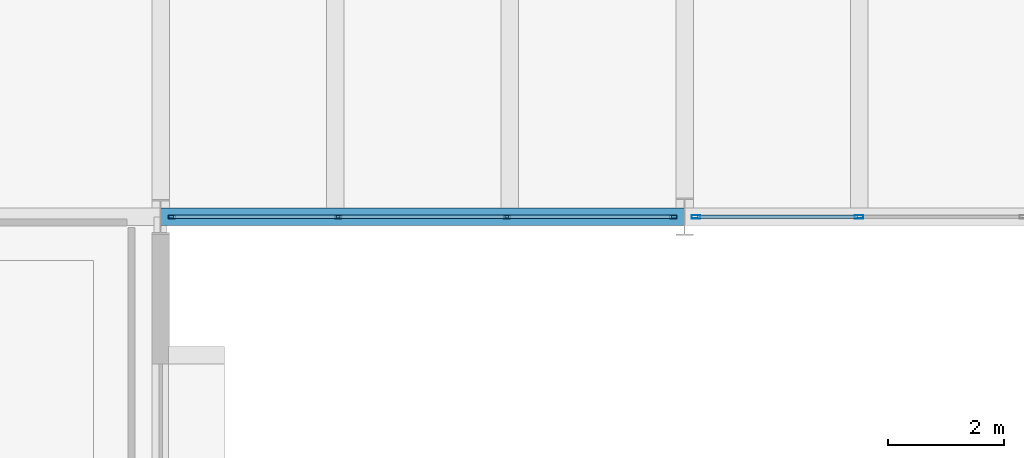
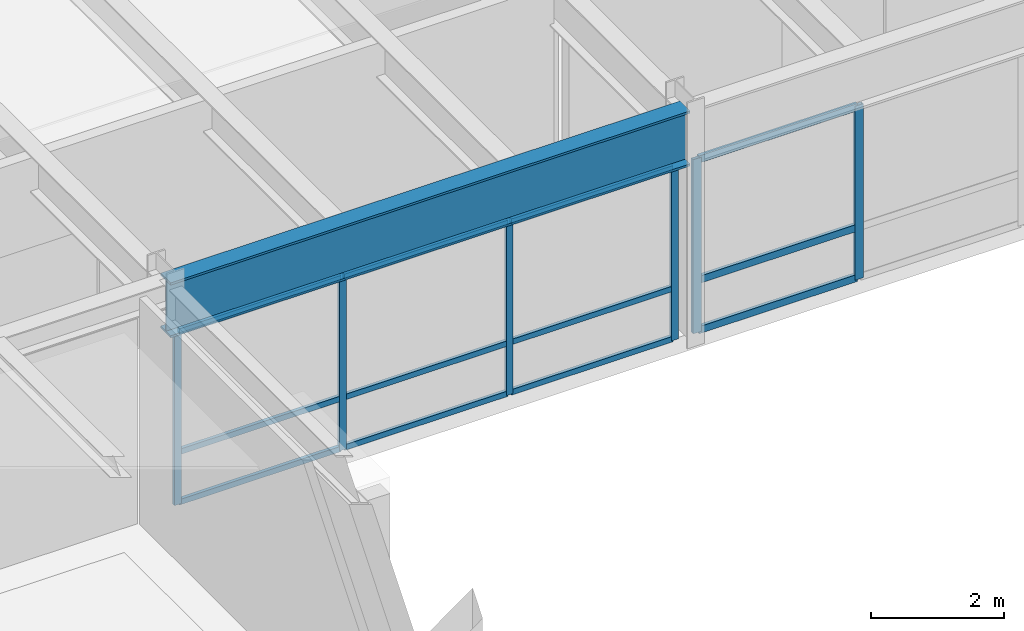
# One storey, part 89 of 127: 18 members, 1 beam, 2 elements without a shape of their own.
"""IFC4 building model written with IfcOpenShell, lengths in metres."""

from ifc_helpers import new_model, si_unit, direction, frame, origin, origin_2d, place, context, subcontext, project, spatial, hollow_rectangle, i_section, extrude, material, layer, layer_set, material_profile, profile_set, type_object, element, aggregate, save


model = new_model("IFC4")

# Units and contexts
model_context = context("Model", 3, precision=1e-05, world=origin(), true_north=direction((0.0, 1.0)))
body_context = subcontext(model_context, "Body", "Model", "MODEL_VIEW")
ifc_project = project(units=[si_unit("LENGTHUNIT", "METRE"), si_unit("AREAUNIT", "SQUARE_METRE"), si_unit("VOLUMEUNIT", "CUBIC_METRE"), si_unit("PLANEANGLEUNIT", "RADIAN"), si_unit("MASSUNIT", "GRAM", prefix="KILO")], contexts=[model_context])

# Site, building, storey
site_placement = place(None, origin())
site = spatial("IfcSite", under=ifc_project, at=site_placement, CompositionType="ELEMENT")
building_placement = place(site_placement, origin())
building = spatial("IfcBuilding", under=site, at=building_placement, Name="Montelvaro Courts of Justice", CompositionType="ELEMENT")
storey_placement = place(building_placement, frame((0.0, 0.0, 5.39990234375)))
storey = spatial("IfcBuildingStorey", under=building, at=storey_placement, Name="L01", CompositionType="ELEMENT", Elevation=5.39990234375)

# Beam
ifc_material_1 = material(Name="Steel S355", Category="steel")
ifc_material_profile_1 = material_profile(ifc_material_1, i_section(OverallWidth=0.302001953125, OverallDepth=1.008056640625, WebThickness=0.02099609375, FlangeThickness=0.0400390625, at=origin_2d()), Name="HEM 1000")
ifc_profile_set_1 = profile_set([ifc_material_profile_1], Name="Steel S355")
beam_type = type_object("IfcBeamType", Name="Beam_HEM1000", PredefinedType="USERDEFINED", material=ifc_profile_set_1)
beam_placement = place(storey_placement, frame((135.0, 78.0, 3.696044921875), z_axis=(1.0, 0.0, 0.0), x_axis=(0.0, 1.0, 0.0)))
element("IfcBeam", 1, at=beam_placement, inside=storey, type_object=beam_type, Name="Pratt Cantilever Truss Chord CTR-V2-S-L02-BS1", ObjectType="GIRDER", PredefinedType="USERDEFINED", context=body_context, shape_type="SweptSolid", body=[
    extrude(i_section(OverallWidth=0.302001953125, OverallDepth=1.008056640625, WebThickness=0.02099609375, FlangeThickness=0.0400390625, at=origin_2d()), origin(), (0.0, 0.0, 1.0), 9.0),
])

# Curtain wall, members
ifc_material_2 = material(Name="Anodised aluminium EN AW-6063", Category="aluminium")
ifc_layer_1 = layer(ifc_material_2, 0.159912109375)
ifc_layer_set_1 = layer_set([ifc_layer_1], Name="Anodised aluminium EN AW-6063")
curtain_wall_type_1 = type_object("IfcCurtainWallType", Name="CurtainWall_14_867x418", PredefinedType="USERDEFINED", material=ifc_layer_set_1)
curtain_wall_1_placement = place(storey_placement, origin())
curtain_wall_1 = element("IfcCurtainWall", 2, at=curtain_wall_1_placement, inside=storey, type_object=curtain_wall_type_1, Name="Curtain Wall CW-14 (L01)", ObjectType="CURTAIN WALL", PredefinedType="USERDEFINED")
ifc_material_profile_2 = material_profile(ifc_material_2, hollow_rectangle(XDim=0.06005859375, YDim=0.1201171875, WallThickness=0.00341796875, at=origin_2d()), Name="ALU-M 60x120")
ifc_profile_set_2 = profile_set([ifc_material_profile_2], Name="Anodised aluminium EN AW-6063")
member_type_1 = type_object("IfcMemberType", Name="CurtainWall_Mullion_60x120", PredefinedType="MULLION", material=ifc_profile_set_2)
member_1_placement = place(storey_placement, frame((135.195068359375, 78.0, 0.0), z_axis=(0.0, 0.0, 1.0), x_axis=(0.0, 1.0, 0.0)))
member_1 = element("IfcMember", 3, at=member_1_placement, type_object=member_type_1, Name="CW-14 mullion 1", PredefinedType="MULLION", context=body_context, shape_type="SweptSolid", body=[
    extrude(hollow_rectangle(XDim=0.06005859375, YDim=0.1201171875, WallThickness=0.00341796875, at=origin_2d()), origin(), (0.0, 0.0, 1.0), 3.18701171875),
])
member_2_placement = place(storey_placement, frame((138.054931640625, 78.0, 0.0), z_axis=(0.0, 0.0, 1.0), x_axis=(0.0, 1.0, 0.0)))
member_2 = element("IfcMember", 4, at=member_2_placement, type_object=member_type_1, Name="CW-14 mullion 2", PredefinedType="MULLION", context=body_context, shape_type="SweptSolid", body=[
    extrude(hollow_rectangle(XDim=0.06005859375, YDim=0.1201171875, WallThickness=0.00341796875, at=origin_2d()), origin(), (0.0, 0.0, 1.0), 3.18701171875),
])
member_3_placement = place(storey_placement, frame((140.945068359375, 78.0, 0.0), z_axis=(0.0, 0.0, 1.0), x_axis=(0.0, 1.0, 0.0)))
member_3 = element("IfcMember", 5, at=member_3_placement, type_object=member_type_1, Name="CW-14 mullion 3", PredefinedType="MULLION", context=body_context, shape_type="SweptSolid", body=[
    extrude(hollow_rectangle(XDim=0.06005859375, YDim=0.1201171875, WallThickness=0.00341796875, at=origin_2d()), origin(), (0.0, 0.0, 1.0), 3.18701171875),
])
member_4_placement = place(storey_placement, frame((143.804931640625, 78.0, 0.0), z_axis=(0.0, 0.0, 1.0), x_axis=(0.0, 1.0, 0.0)))
member_4 = element("IfcMember", 6, at=member_4_placement, type_object=member_type_1, Name="CW-14 mullion 4", PredefinedType="MULLION", context=body_context, shape_type="SweptSolid", body=[
    extrude(hollow_rectangle(XDim=0.06005859375, YDim=0.1201171875, WallThickness=0.00341796875, at=origin_2d()), origin(), (0.0, 0.0, 1.0), 3.18701171875),
])

ifc_layer_2 = layer(ifc_material_2, 0.159912109375)
ifc_layer_set_2 = layer_set([ifc_layer_2], Name="Anodised aluminium EN AW-6063")
curtain_wall_type_2 = type_object("IfcCurtainWallType", Name="CurtainWall_21_849x418", PredefinedType="USERDEFINED", material=ifc_layer_set_2)
curtain_wall_2_placement = place(storey_placement, origin())
curtain_wall_2 = element("IfcCurtainWall", 7, at=curtain_wall_2_placement, inside=storey, type_object=curtain_wall_type_2, Name="Curtain Wall CW-21 (L01)", ObjectType="CURTAIN WALL", PredefinedType="USERDEFINED")
ifc_material_profile_3 = material_profile(ifc_material_2, hollow_rectangle(XDim=0.06005859375, YDim=0.14990234375, WallThickness=0.00390625, at=origin_2d()), Name="ALU-M 60x150")
ifc_profile_set_3 = profile_set([ifc_material_profile_3], Name="Anodised aluminium EN AW-6063")
member_type_2 = type_object("IfcMemberType", Name="CurtainWall_Mullion_60x150", PredefinedType="MULLION", material=ifc_profile_set_3)
member_5_placement = place(storey_placement, frame((144.195068359375, 78.0, 0.0), z_axis=(0.0, 0.0, 1.0), x_axis=(0.0, 1.0, 0.0)))
member_5 = element("IfcMember", 8, at=member_5_placement, type_object=member_type_2, Name="CW-21 mullion 1", PredefinedType="MULLION", context=body_context, shape_type="SweptSolid", body=[
    extrude(hollow_rectangle(XDim=0.06005859375, YDim=0.14990234375, WallThickness=0.00390625, at=origin_2d()), origin(), (0.0, 0.0, 1.0), 3.18701171875),
])
member_6_placement = place(storey_placement, frame((146.99658203125, 78.0, 0.0), z_axis=(0.0, 0.0, 1.0), x_axis=(0.0, 1.0, 0.0)))
member_6 = element("IfcMember", 9, at=member_6_placement, type_object=member_type_2, Name="CW-21 mullion 2", PredefinedType="MULLION", context=body_context, shape_type="SweptSolid", body=[
    extrude(hollow_rectangle(XDim=0.06005859375, YDim=0.14990234375, WallThickness=0.00390625, at=origin_2d()), origin(), (0.0, 0.0, 1.0), 3.18701171875),
])

# Member
ifc_material_profile_4 = material_profile(ifc_material_2, hollow_rectangle(XDim=0.06005859375, YDim=0.10009765625, WallThickness=0.00341796875, at=origin_2d()), Name="ALU-T 60x100")
ifc_profile_set_4 = profile_set([ifc_material_profile_4], Name="Anodised aluminium EN AW-6063")
member_type_3 = type_object("IfcMemberType", Name="CurtainWall_Transom_60x100", PredefinedType="USERDEFINED", material=ifc_profile_set_4)
member_7_placement = place(storey_placement, frame((135.22509765625, 78.0, 0.030029296875), z_axis=(1.0, 0.0, 0.0), x_axis=(0.0, 1.0, 0.0)))
member_7 = element("IfcMember", 10, at=member_7_placement, type_object=member_type_3, Name="CW-14 transom 1.1", ObjectType="TRANSOM", PredefinedType="USERDEFINED", context=body_context, shape_type="SweptSolid", body=[
    extrude(hollow_rectangle(XDim=0.06005859375, YDim=0.10009765625, WallThickness=0.00341796875, at=origin_2d()), origin(), (0.0, 0.0, 1.0), 2.7998046875),
])

member_8_placement = place(storey_placement, frame((135.22509765625, 78.0, 0.9501953125), z_axis=(1.0, 0.0, 0.0), x_axis=(0.0, 1.0, 0.0)))
member_8 = element("IfcMember", 11, at=member_8_placement, type_object=member_type_3, Name="CW-14 transom 1.2", ObjectType="TRANSOM", PredefinedType="USERDEFINED", context=body_context, shape_type="SweptSolid", body=[
    extrude(hollow_rectangle(XDim=0.06005859375, YDim=0.10009765625, WallThickness=0.00341796875, at=origin_2d()), origin(), (0.0, 0.0, 1.0), 2.7998046875),
])

member_9_placement = place(storey_placement, frame((135.22509765625, 78.0, 3.156982421875), z_axis=(1.0, 0.0, 0.0), x_axis=(0.0, 1.0, 0.0)))
member_9 = element("IfcMember", 12, at=member_9_placement, type_object=member_type_3, Name="CW-14 transom 1.3", ObjectType="TRANSOM", PredefinedType="USERDEFINED", context=body_context, shape_type="SweptSolid", body=[
    extrude(hollow_rectangle(XDim=0.06005859375, YDim=0.10009765625, WallThickness=0.00341796875, at=origin_2d()), origin(), (0.0, 0.0, 1.0), 2.7998046875),
])

member_10_placement = place(storey_placement, frame((138.0849609375, 78.0, 0.030029296875), z_axis=(1.0, 0.0, 0.0), x_axis=(0.0, 1.0, 0.0)))
member_10 = element("IfcMember", 13, at=member_10_placement, type_object=member_type_3, Name="CW-14 transom 2.1", ObjectType="TRANSOM", PredefinedType="USERDEFINED", context=body_context, shape_type="SweptSolid", body=[
    extrude(hollow_rectangle(XDim=0.06005859375, YDim=0.10009765625, WallThickness=0.00341796875, at=origin_2d()), origin(), (0.0, 0.0, 1.0), 2.830078125),
])

member_11_placement = place(storey_placement, frame((138.0849609375, 78.0, 0.9501953125), z_axis=(1.0, 0.0, 0.0), x_axis=(0.0, 1.0, 0.0)))
member_11 = element("IfcMember", 14, at=member_11_placement, type_object=member_type_3, Name="CW-14 transom 2.2", ObjectType="TRANSOM", PredefinedType="USERDEFINED", context=body_context, shape_type="SweptSolid", body=[
    extrude(hollow_rectangle(XDim=0.06005859375, YDim=0.10009765625, WallThickness=0.00341796875, at=origin_2d()), origin(), (0.0, 0.0, 1.0), 2.830078125),
])

member_12_placement = place(storey_placement, frame((138.0849609375, 78.0, 3.156982421875), z_axis=(1.0, 0.0, 0.0), x_axis=(0.0, 1.0, 0.0)))
member_12 = element("IfcMember", 15, at=member_12_placement, type_object=member_type_3, Name="CW-14 transom 2.3", ObjectType="TRANSOM", PredefinedType="USERDEFINED", context=body_context, shape_type="SweptSolid", body=[
    extrude(hollow_rectangle(XDim=0.06005859375, YDim=0.10009765625, WallThickness=0.00341796875, at=origin_2d()), origin(), (0.0, 0.0, 1.0), 2.830078125),
])

member_13_placement = place(storey_placement, frame((140.97509765625, 78.0, 0.030029296875), z_axis=(1.0, 0.0, 0.0), x_axis=(0.0, 1.0, 0.0)))
member_13 = element("IfcMember", 16, at=member_13_placement, type_object=member_type_3, Name="CW-14 transom 3.1", ObjectType="TRANSOM", PredefinedType="USERDEFINED", context=body_context, shape_type="SweptSolid", body=[
    extrude(hollow_rectangle(XDim=0.06005859375, YDim=0.10009765625, WallThickness=0.00341796875, at=origin_2d()), origin(), (0.0, 0.0, 1.0), 2.7998046875),
])

member_14_placement = place(storey_placement, frame((140.97509765625, 78.0, 0.9501953125), z_axis=(1.0, 0.0, 0.0), x_axis=(0.0, 1.0, 0.0)))
member_14 = element("IfcMember", 17, at=member_14_placement, type_object=member_type_3, Name="CW-14 transom 3.2", ObjectType="TRANSOM", PredefinedType="USERDEFINED", context=body_context, shape_type="SweptSolid", body=[
    extrude(hollow_rectangle(XDim=0.06005859375, YDim=0.10009765625, WallThickness=0.00341796875, at=origin_2d()), origin(), (0.0, 0.0, 1.0), 2.7998046875),
])

member_15_placement = place(storey_placement, frame((140.97509765625, 78.0, 3.156982421875), z_axis=(1.0, 0.0, 0.0), x_axis=(0.0, 1.0, 0.0)))
member_15 = element("IfcMember", 18, at=member_15_placement, type_object=member_type_3, Name="CW-14 transom 3.3", ObjectType="TRANSOM", PredefinedType="USERDEFINED", context=body_context, shape_type="SweptSolid", body=[
    extrude(hollow_rectangle(XDim=0.06005859375, YDim=0.10009765625, WallThickness=0.00341796875, at=origin_2d()), origin(), (0.0, 0.0, 1.0), 2.7998046875),
])

aggregate(curtain_wall_1, [member_1, member_2, member_3, member_4, member_7, member_8, member_9, member_10, member_11, member_12, member_13, member_14, member_15])

ifc_material_profile_5 = material_profile(ifc_material_2, hollow_rectangle(XDim=0.06005859375, YDim=0.1298828125, WallThickness=0.00390625, at=origin_2d()), Name="ALU-T 60x130")
ifc_profile_set_5 = profile_set([ifc_material_profile_5], Name="Anodised aluminium EN AW-6063")
member_type_4 = type_object("IfcMemberType", Name="CurtainWall_Transom_60x130", PredefinedType="USERDEFINED", material=ifc_profile_set_5)
member_16_placement = place(storey_placement, frame((144.22509765625, 78.0, 0.030029296875), z_axis=(1.0, 0.0, 0.0), x_axis=(0.0, 1.0, 0.0)))
member_16 = element("IfcMember", 19, at=member_16_placement, type_object=member_type_4, Name="CW-21 transom 1.1", ObjectType="TRANSOM", PredefinedType="USERDEFINED", context=body_context, shape_type="SweptSolid", body=[
    extrude(hollow_rectangle(XDim=0.06005859375, YDim=0.1298828125, WallThickness=0.00390625, at=origin_2d()), origin(), (0.0, 0.0, 1.0), 2.741455078125),
])

member_17_placement = place(storey_placement, frame((144.22509765625, 78.0, 0.9501953125), z_axis=(1.0, 0.0, 0.0), x_axis=(0.0, 1.0, 0.0)))
member_17 = element("IfcMember", 20, at=member_17_placement, type_object=member_type_4, Name="CW-21 transom 1.2", ObjectType="TRANSOM", PredefinedType="USERDEFINED", context=body_context, shape_type="SweptSolid", body=[
    extrude(hollow_rectangle(XDim=0.06005859375, YDim=0.1298828125, WallThickness=0.00390625, at=origin_2d()), origin(), (0.0, 0.0, 1.0), 2.741455078125),
])

member_18_placement = place(storey_placement, frame((144.22509765625, 78.0, 3.156982421875), z_axis=(1.0, 0.0, 0.0), x_axis=(0.0, 1.0, 0.0)))
member_18 = element("IfcMember", 21, at=member_18_placement, type_object=member_type_4, Name="CW-21 transom 1.3", ObjectType="TRANSOM", PredefinedType="USERDEFINED", context=body_context, shape_type="SweptSolid", body=[
    extrude(hollow_rectangle(XDim=0.06005859375, YDim=0.1298828125, WallThickness=0.00390625, at=origin_2d()), origin(), (0.0, 0.0, 1.0), 2.741455078125),
])

aggregate(curtain_wall_2, [member_5, member_6, member_16, member_17, member_18])

save(model, "model.ifc")
